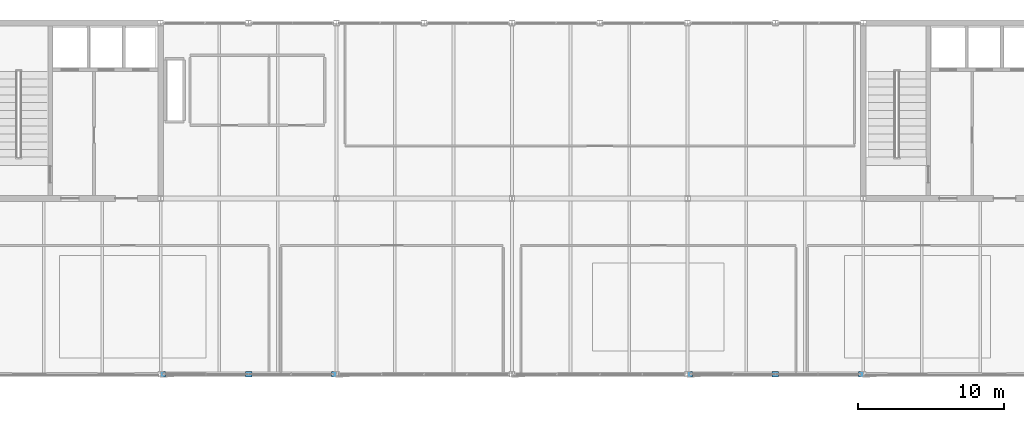
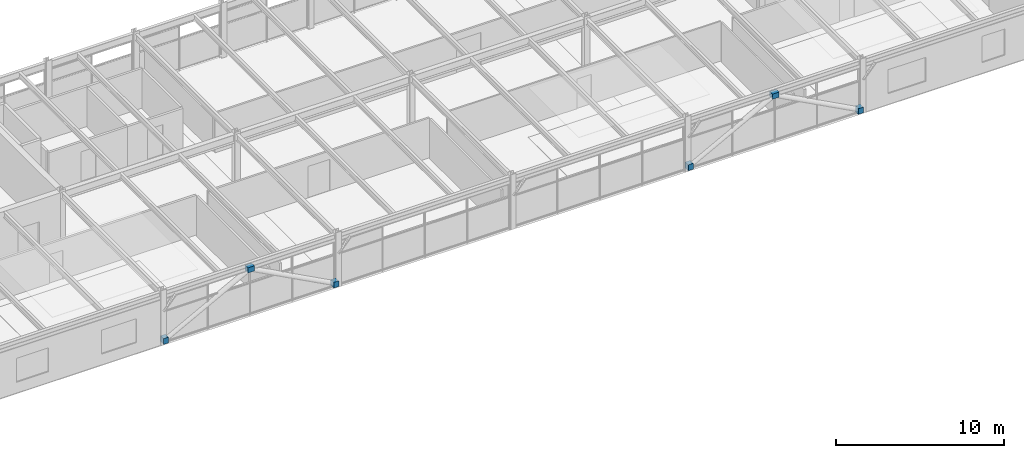
# One storey, part 29 of 32: 6 discrete accessories.
"""IFC4 building model written with IfcOpenShell, lengths in metres."""

from ifc_helpers import new_model, si_unit, direction, frame, origin, origin_2d, place, context, subcontext, project, spatial, rectangle, extrude, material, type_object, element, save


model = new_model("IFC4")

# Units and contexts
model_context = context("Model", 3, precision=1e-05, world=origin(), true_north=direction((0.0, 1.0)))
body_context = subcontext(model_context, "Body", "Model", "MODEL_VIEW")
ifc_project = project(units=[si_unit("LENGTHUNIT", "METRE"), si_unit("AREAUNIT", "SQUARE_METRE"), si_unit("VOLUMEUNIT", "CUBIC_METRE"), si_unit("PLANEANGLEUNIT", "RADIAN"), si_unit("MASSUNIT", "GRAM", prefix="KILO")], contexts=[model_context])

# Site, building, storey
site_placement = place(None, origin())
site = spatial("IfcSite", under=ifc_project, at=site_placement, CompositionType="ELEMENT")
building_placement = place(site_placement, origin())
building = spatial("IfcBuilding", under=site, at=building_placement, Name="Girod Span Mobility Hub", CompositionType="ELEMENT")
storey_placement = place(building_placement, frame((0.0, 0.0, 61.60009765625)))
storey = spatial("IfcBuildingStorey", under=building, at=storey_placement, Name="L15", CompositionType="ELEMENT", Elevation=61.60009765625)

# Discrete accessories
ifc_material = material(Name="Steel HSS A500 Grade C", Category="steel")
discrete_accessory_type = type_object("IfcDiscreteAccessoryType", Name="ACC-CAP-HSS324", PredefinedType="BRACKET", material=ifc_material)
for number, where, z_axis, x_axis, name in (
    (1, (60.162353515625, 45.0, 0.0400390625), (0.0, 0.0, 1.0), (1.0, 0.0, 0.0), "Diagrid Brace End Cap Gusset 6/D-L L15"),
    (2, (71.837646484375, 45.0, 0.0400390625), (0.0, 0.0, 1.0), (1.0, 0.0, 0.0), "Diagrid Brace End Cap Gusset 6/D-R L15"),
):
    element("IfcDiscreteAccessory", number, at=place(storey_placement, frame(where, z_axis=z_axis, x_axis=x_axis)), inside=storey, type_object=discrete_accessory_type, Name=name, PredefinedType="BRACKET", context=body_context, shape_type="SweptSolid", body=[
        extrude(rectangle(XDim=0.344482421875, YDim=0.360107421875, at=origin_2d()), origin(), (0.0, 0.0, 1.0), 0.419921875),
    ])
discrete_accessory_1_placement = place(storey_placement, frame((66.0, 45.0, 3.196044921875), z_axis=(0.0, 0.0, 1.0), x_axis=(1.0, 0.0, 0.0)))
element("IfcDiscreteAccessory", 3, at=discrete_accessory_1_placement, inside=storey, type_object=discrete_accessory_type, Name="Diagrid Brace Apex End Cap Gusset 6/D-M L15", PredefinedType="BRACKET", context=body_context, shape_type="SweptSolid", body=[
    extrude(rectangle(XDim=0.43994140625, YDim=0.360107421875, at=origin_2d()), origin(), (0.0, 0.0, 1.0), 0.3798828125),
])
for number, where, z_axis, x_axis, name in (
    (4, (96.162353515625, 45.0, 0.0400390625), (0.0, 0.0, 1.0), (1.0, 0.0, 0.0), "Diagrid Brace End Cap Gusset 9/D-L L15"),
    (5, (107.837646484375, 45.0, 0.0400390625), (0.0, 0.0, 1.0), (1.0, 0.0, 0.0), "Diagrid Brace End Cap Gusset 9/D-R L15"),
):
    element("IfcDiscreteAccessory", number, at=place(storey_placement, frame(where, z_axis=z_axis, x_axis=x_axis)), inside=storey, type_object=discrete_accessory_type, Name=name, PredefinedType="BRACKET", context=body_context, shape_type="SweptSolid", body=[
        extrude(rectangle(XDim=0.344482421875, YDim=0.360107421875, at=origin_2d()), origin(), (0.0, 0.0, 1.0), 0.419921875),
    ])
discrete_accessory_2_placement = place(storey_placement, frame((102.0, 45.0, 3.196044921875), z_axis=(0.0, 0.0, 1.0), x_axis=(1.0, 0.0, 0.0)))
element("IfcDiscreteAccessory", 6, at=discrete_accessory_2_placement, inside=storey, type_object=discrete_accessory_type, Name="Diagrid Brace Apex End Cap Gusset 9/D-M L15", PredefinedType="BRACKET", context=body_context, shape_type="SweptSolid", body=[
    extrude(rectangle(XDim=0.43994140625, YDim=0.360107421875, at=origin_2d()), origin(), (0.0, 0.0, 1.0), 0.3798828125),
])

save(model, "model.ifc")
